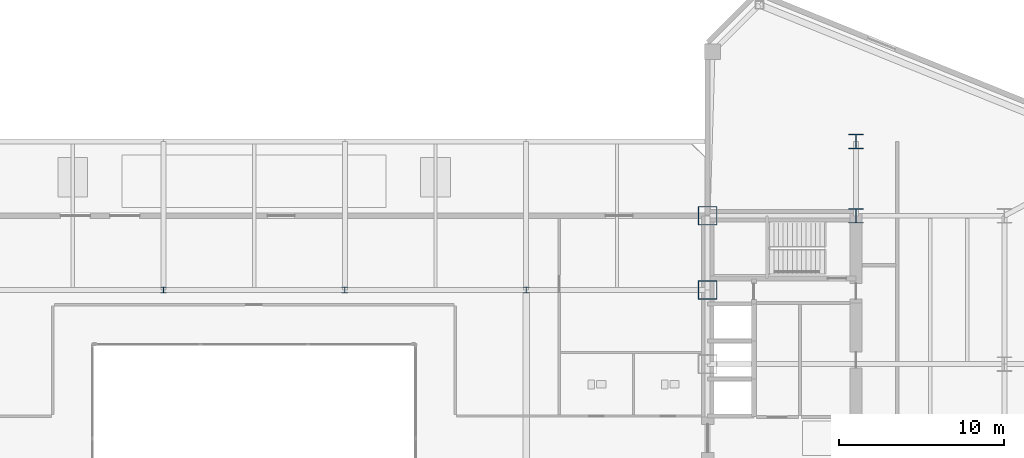
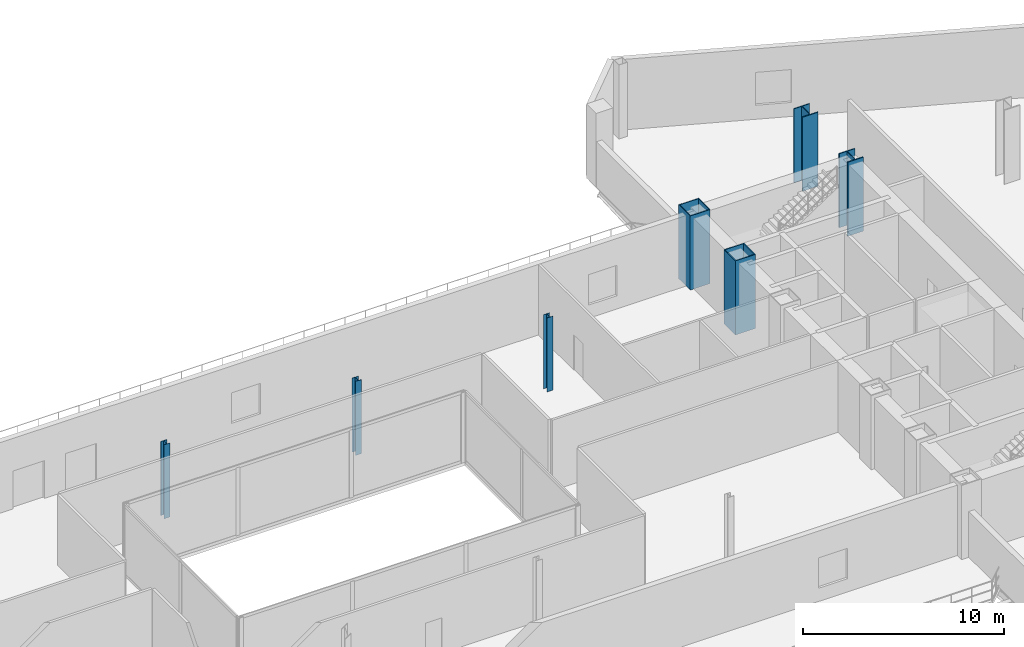
# One storey, part 7 of 23: 7 columns.
"""IFC4 building model written with IfcOpenShell, lengths in metres."""

from ifc_helpers import new_model, si_unit, direction, frame, origin, origin_2d, place, context, subcontext, project, spatial, hollow_rectangle, i_section, extrude, source, transform, mapped, material, material_profile, profile_set, type_object, type_shapes, element, save


model = new_model("IFC4")

# Units and contexts
model_context = context("Model", 3, precision=1e-05, world=origin(), true_north=direction((0.0, 1.0)))
body_context = subcontext(model_context, "Body", "Model", "MODEL_VIEW")
ifc_project = project(units=[si_unit("LENGTHUNIT", "METRE"), si_unit("AREAUNIT", "SQUARE_METRE"), si_unit("VOLUMEUNIT", "CUBIC_METRE"), si_unit("PLANEANGLEUNIT", "RADIAN"), si_unit("MASSUNIT", "GRAM", prefix="KILO")], contexts=[model_context])

# Site, building, storey
site_placement = place(None, origin())
site = spatial("IfcSite", under=ifc_project, at=site_placement, CompositionType="ELEMENT")
building_placement = place(site_placement, origin())
building = spatial("IfcBuilding", under=site, at=building_placement, Name="Seokmaru Belvedere", CompositionType="ELEMENT")
storey_placement = place(building_placement, frame((0.0, 0.0, 14.39990234375)))
storey = spatial("IfcBuildingStorey", under=building, at=storey_placement, Name="L03", CompositionType="ELEMENT", Elevation=14.39990234375)

# Columns
ifc_material_1 = material(Name="Steel HSA650 (650 MPa)", Category="steel")
ifc_material_profile_1 = material_profile(ifc_material_1, hollow_rectangle(XDim=1.14990234375, YDim=1.14990234375, WallThickness=0.048095703125, at=origin_2d()), Name="BOX-1150x1150x48")
ifc_profile_set_1 = profile_set([ifc_material_profile_1], Name="Steel HSA650 (650 MPa)")
column_type_1 = type_object("IfcColumnType", Name="Portal Spine Column BOX-1150", PredefinedType="COLUMN", material=ifc_profile_set_1)
shared_shape_1 = source(origin(), body_context, "Body", "SweptSolid", [
    extrude(hollow_rectangle(XDim=1.14990234375, YDim=1.14990234375, WallThickness=0.048095703125, at=origin_2d()), origin(), (0.0, 0.0, 1.0), 4.5),
])
type_shapes(column_type_1, [shared_shape_1])
for number, where, z_axis, x_axis, name in (
    (1, (27.5, 9.0, 0.0), (0.0, 0.0, 1.0), (1.0, 0.0, 0.0), "L03 Column ES5"),
    (2, (27.5, 13.5, 0.0), (0.0, 0.0, 1.0), (1.0, 0.0, 0.0), "L03 Column ES6"),
):
    element("IfcColumn", number, at=place(storey_placement, frame(where, z_axis=z_axis, x_axis=x_axis)), inside=storey, type_object=column_type_1, Name=name, PredefinedType="COLUMN", context=body_context, shape_type="MappedRepresentation", body=[
        mapped(shared_shape_1, transform((0.0, 0.0, 0.0), scale=1.0)),
    ])
ifc_material_profile_2 = material_profile(ifc_material_1, i_section(OverallWidth=0.89990234375, OverallDepth=0.89990234375, WebThickness=0.035888671875, FlangeThickness=0.054931640625, at=origin_2d()), Name="H-900x900x36x55")
ifc_profile_set_2 = profile_set([ifc_material_profile_2], Name="Steel HSA650 (650 MPa)")
column_type_2 = type_object("IfcColumnType", Name="Lower Interior Column H-900", PredefinedType="COLUMN", material=ifc_profile_set_2)
shared_shape_2 = source(origin(), body_context, "Body", "SweptSolid", [
    extrude(i_section(OverallWidth=0.89990234375, OverallDepth=0.89990234375, WebThickness=0.035888671875, FlangeThickness=0.054931640625, at=origin_2d()), origin(), (0.0, 0.0, 1.0), 4.5),
])
type_shapes(column_type_2, [shared_shape_2])
for number, where, z_axis, x_axis, name in (
    (3, (36.5, 13.5, 0.0), (0.0, 0.0, 1.0), (1.0, 0.0, 0.0), "L03 Column EC3"),
    (4, (36.5, 18.0, 0.0), (0.0, 0.0, 1.0), (1.0, 0.0, 0.0), "L03 Column EC4"),
):
    element("IfcColumn", number, at=place(storey_placement, frame(where, z_axis=z_axis, x_axis=x_axis)), inside=storey, type_object=column_type_2, Name=name, PredefinedType="COLUMN", context=body_context, shape_type="MappedRepresentation", body=[
        mapped(shared_shape_2, transform((0.0, 0.0, 0.0), scale=1.0)),
    ])
ifc_material_2 = material(Name="Steel SM355 (355 MPa)", Category="steel")
ifc_material_profile_3 = material_profile(ifc_material_2, i_section(OverallWidth=0.35009765625, OverallDepth=0.35009765625, WebThickness=0.011962890625, FlangeThickness=0.01904296875, at=origin_2d()), Name="H-350x350x12x19")
ifc_profile_set_3 = profile_set([ifc_material_profile_3], Name="Steel SM355 (355 MPa)")
column_type_3 = type_object("IfcColumnType", Name="Podium Gallery Column H-350", PredefinedType="COLUMN", material=ifc_profile_set_3)
shared_shape_3 = source(origin(), body_context, "Body", "SweptSolid", [
    extrude(i_section(OverallWidth=0.35009765625, OverallDepth=0.35009765625, WebThickness=0.011962890625, FlangeThickness=0.01904296875, at=origin_2d()), origin(), (0.0, 0.0, 1.0), 4.5),
])
type_shapes(column_type_3, [shared_shape_3])
for number, where, z_axis, x_axis, name in (
    (5, (-5.5, 9.0, 0.0), (0.0, 0.0, 1.0), (1.0, 0.0, 0.0), "L03 Column CP2_4"),
    (6, (5.5, 9.0, 0.0), (0.0, 0.0, 1.0), (1.0, 0.0, 0.0), "L03 Column CP3_4"),
    (7, (16.5, 9.0, 0.0), (0.0, 0.0, 1.0), (1.0, 0.0, 0.0), "L03 Column CP4_4"),
):
    element("IfcColumn", number, at=place(storey_placement, frame(where, z_axis=z_axis, x_axis=x_axis)), inside=storey, type_object=column_type_3, Name=name, PredefinedType="COLUMN", context=body_context, shape_type="MappedRepresentation", body=[
        mapped(shared_shape_3, transform((0.0, 0.0, 0.0), scale=1.0)),
    ])

save(model, "model.ifc")
